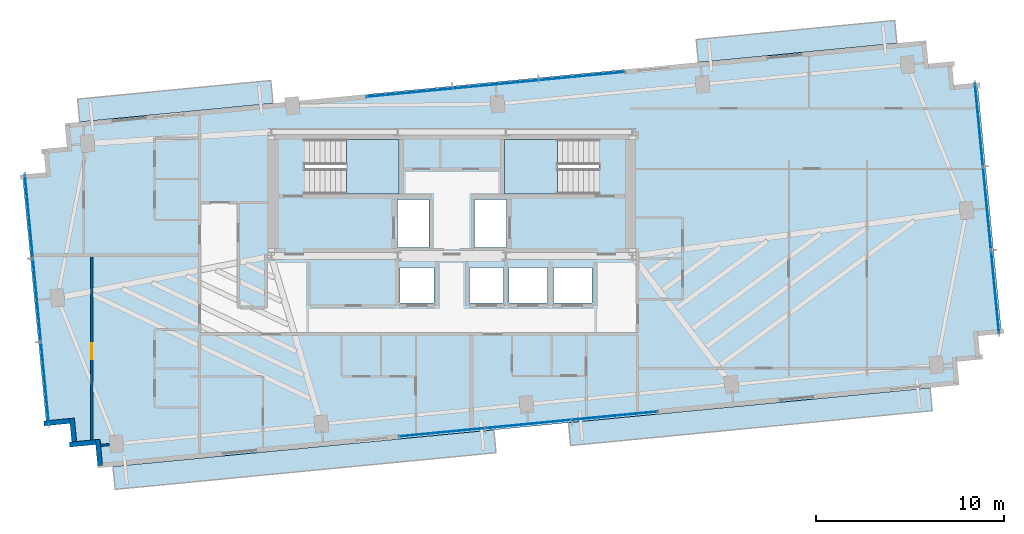
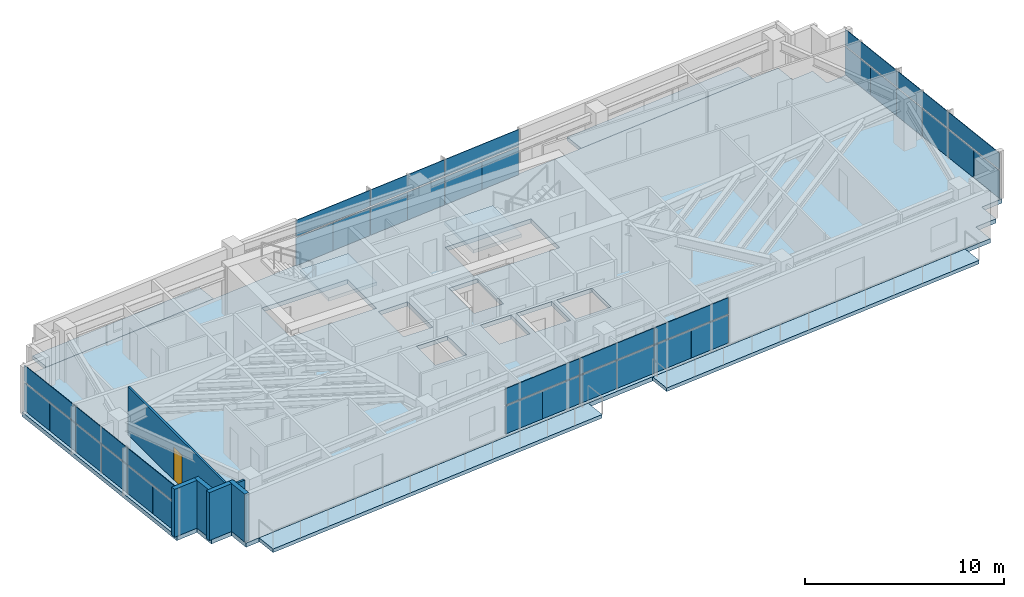
# One storey, part 12 of 18: 36 plates, 7 slabs, 6 walls, 1 door, 1 opening, 6 elements without a shape of their own.
"""IFC4 building model written with IfcOpenShell, lengths in metres."""

from ifc_helpers import new_model, si_unit, direction, frame, frame_2d, origin, origin_2d, place, context, subcontext, project, spatial, polyline, rectangle, outline, extrude, source, transform, mapped, material, layer, layer_set, type_object, type_shapes, element, fill, aggregate, save


model = new_model("IFC4")

# Units and contexts
model_context = context("Model", 3, precision=1e-05, world=origin(), true_north=direction((0.0, 1.0)))
body_context = subcontext(model_context, "Body", "Model", "MODEL_VIEW")
ifc_project = project(units=[si_unit("LENGTHUNIT", "METRE"), si_unit("AREAUNIT", "SQUARE_METRE"), si_unit("VOLUMEUNIT", "CUBIC_METRE"), si_unit("PLANEANGLEUNIT", "RADIAN"), si_unit("MASSUNIT", "GRAM", prefix="KILO")], contexts=[model_context])

# Site, building, storey
site_placement = place(None, origin())
site = spatial("IfcSite", under=ifc_project, at=site_placement, CompositionType="ELEMENT")
building_placement = place(site_placement, origin())
building = spatial("IfcBuilding", under=site, at=building_placement, Name="Astriad Promenade Condominiums", CompositionType="ELEMENT")
storey_placement = place(building_placement, frame((0.0, 0.0, 182.60009765625)))
storey = spatial("IfcBuildingStorey", under=building, at=storey_placement, Name="L52", CompositionType="ELEMENT", Elevation=182.60009765625)

# Slab
ifc_material_1 = material(Name="Concrete C50/60", Category="concrete")
ifc_layer_1 = layer(ifc_material_1, 0.260009765625)
ifc_layer_set_1 = layer_set([ifc_layer_1], Name="Concrete C50/60")
slab_type_1 = type_object("IfcSlabType", Name="CONCRETE TOWER FLOOR SLAB 260", PredefinedType="FLOOR", material=ifc_layer_set_1)
slab_1_placement = place(storey_placement, frame((0.0, 0.0, -0.260009765625)))
element("IfcSlab", 1, at=slab_1_placement, inside=storey, type_object=slab_type_1, Name="Structural Floor Slab (L52)", PredefinedType="FLOOR", context=body_context, shape_type="SweptSolid", body=[
    extrude(outline(polyline([(17.187744140625, 6.137939453125), (62.975830078125, 10.546875), (62.856201171875, 11.791015625), (64.100341796875, 11.910888671875), (63.98046875, 13.155029296875), (65.224853515625, 13.27490234375), (63.9404296875, 26.61328125), (62.6962890625, 26.493408203125), (62.576416015625, 27.73779296875), (61.33203125, 27.617919921875), (61.21240234375, 28.862060546875), (15.424072265625, 24.453125), (15.5439453125, 23.208984375), (14.2998046875, 23.089111328125), (14.41943359375, 21.844970703125), (13.17529296875, 21.72509765625), (14.459716796875, 8.38671875), (15.703857421875, 8.506591796875), (15.823486328125, 7.26220703125), (17.06787109375, 7.382080078125), (17.187744140625, 6.137939453125)]), holes=[polyline([(28.175048828125, 20.699951171875), (33.175048828125, 20.699951171875), (33.175048828125, 23.60009765625), (28.175048828125, 23.60009765625), (28.175048828125, 20.699951171875)]), polyline([(38.824951171875, 20.699951171875), (43.824951171875, 20.699951171875), (43.824951171875, 23.60009765625), (38.824951171875, 23.60009765625), (38.824951171875, 20.699951171875)]), polyline([(33.10009765625, 17.85009765625), (34.800048828125, 17.85009765625), (34.800048828125, 20.39990234375), (33.10009765625, 20.39990234375), (33.10009765625, 17.85009765625)]), polyline([(37.199951171875, 17.85009765625), (38.89990234375, 17.85009765625), (38.89990234375, 20.39990234375), (37.199951171875, 20.39990234375), (37.199951171875, 17.85009765625)]), polyline([(33.25, 14.89990234375), (35.050048828125, 14.89990234375), (35.050048828125, 16.800048828125), (33.25, 16.800048828125), (33.25, 14.89990234375)]), polyline([(36.949951171875, 14.89990234375), (38.75, 14.89990234375), (38.75, 16.800048828125), (36.949951171875, 16.800048828125), (36.949951171875, 14.89990234375)]), polyline([(39.050048828125, 14.89990234375), (41.10009765625, 14.89990234375), (41.10009765625, 16.800048828125), (39.050048828125, 16.800048828125), (39.050048828125, 14.89990234375)]), polyline([(41.39990234375, 14.89990234375), (43.449951171875, 14.89990234375), (43.449951171875, 16.800048828125), (41.39990234375, 16.800048828125), (41.39990234375, 14.89990234375)])]), origin(), (0.0, 0.0, 1.0), 0.260009765625),
])

# Stair, slab
stair_type = type_object("IfcStairType", Name="STR-CORE-1350", PredefinedType="HALF_TURN_STAIR", material=ifc_material_1)
stair_1_placement = place(storey_placement, origin())
stair_1 = element("IfcStair", 2, at=stair_1_placement, inside=storey, type_object=stair_type, Name="L52 Enclosed Core Exit Stair ST-1", PredefinedType="HALF_TURN_STAIR")
ifc_layer_2 = layer(ifc_material_1, 0.219970703125)
ifc_layer_set_2 = layer_set([ifc_layer_2], Name="Concrete C50/60")
slab_type_2 = type_object("IfcSlabType", Name="SLB-LANDING-220", PredefinedType="LANDING", material=ifc_layer_set_2)
slab_2_placement = place(storey_placement, frame((0.0, 0.0, 1.39990234375)))
slab_2 = element("IfcSlab", 3, at=slab_2_placement, type_object=slab_type_2, Name="ST-1 landing 1", PredefinedType="LANDING", context=body_context, shape_type="SweptSolid", body=[
    extrude(outline(polyline([(30.389892578125, 20.699951171875), (33.199951171875, 20.699951171875), (33.199951171875, 23.60009765625), (30.389892578125, 23.60009765625), (30.389892578125, 20.699951171875)])), origin(), (0.0, 0.0, 1.0), 0.199951171875),
])
aggregate(stair_1, [slab_2])

stair_2_placement = place(storey_placement, origin())
stair_2 = element("IfcStair", 4, at=stair_2_placement, inside=storey, type_object=stair_type, Name="L52 Enclosed Core Exit Stair ST-2", PredefinedType="HALF_TURN_STAIR")
slab_3_placement = place(storey_placement, frame((0.0, 0.0, 1.39990234375)))
slab_3 = element("IfcSlab", 5, at=slab_3_placement, type_object=slab_type_2, Name="ST-2 landing 1", PredefinedType="LANDING", context=body_context, shape_type="SweptSolid", body=[
    extrude(outline(polyline([(41.610107421875, 23.60009765625), (38.800048828125, 23.60009765625), (38.800048828125, 20.699951171875), (41.610107421875, 20.699951171875), (41.610107421875, 23.60009765625)])), origin(), (0.0, 0.0, 1.0), 0.199951171875),
])
aggregate(stair_2, [slab_3])

# Slabs
ifc_material_2 = material(Name="Precast concrete C50/60", Category="concrete")
ifc_layer_3 = layer(ifc_material_2, 0.219970703125)
ifc_layer_set_3 = layer_set([ifc_layer_3], Name="Precast concrete C50/60")
slab_type_3 = type_object("IfcSlabType", Name="WHITE PRECAST CONCRETE WAVE BALCONY SLAB 220", PredefinedType="FLOOR", material=ifc_layer_set_3)
slab_4_placement = place(storey_placement, frame((0.0, 0.0, -0.22021484375)))
element("IfcSlab", 6, at=slab_4_placement, inside=storey, type_object=slab_type_3, Name="White Precast Wave Balcony Slab BAL-L52-SW", PredefinedType="FLOOR", context=body_context, shape_type="SweptSolid", body=[
    extrude(outline(polyline([(38.351318359375, 6.9501953125), (18.10400390625, 5.00048828125), (17.9873046875, 6.212890625), (38.234619140625, 8.16259765625), (38.351318359375, 6.9501953125)])), origin(), (0.0, 0.0, 1.0), 0.22021484375),
])
slab_5_placement = place(storey_placement, frame((0.0, 0.0, -0.22021484375)))
element("IfcSlab", 7, at=slab_5_placement, inside=storey, type_object=slab_type_3, Name="White Precast Wave Balcony Slab BAL-L52-SE", PredefinedType="FLOOR", context=body_context, shape_type="SweptSolid", body=[
    extrude(outline(polyline([(61.5400390625, 9.182861328125), (42.31689453125, 7.331787109375), (42.2001953125, 8.544189453125), (61.42333984375, 10.395263671875), (61.5400390625, 9.182861328125)])), origin(), (0.0, 0.0, 1.0), 0.22021484375),
])
slab_6_placement = place(storey_placement, frame((0.0, 0.0, -0.22021484375)))
element("IfcSlab", 8, at=slab_6_placement, inside=storey, type_object=slab_type_3, Name="White Precast Wave Balcony Slab BAL-L52-NW", PredefinedType="FLOOR", context=body_context, shape_type="SweptSolid", body=[
    extrude(outline(polyline([(16.1064453125, 25.744384765625), (26.3759765625, 26.7333984375), (26.49267578125, 25.52099609375), (16.22314453125, 24.5322265625), (16.1064453125, 25.744384765625)])), origin(), (0.0, 0.0, 1.0), 0.22021484375),
])
slab_7_placement = place(storey_placement, frame((0.0, 0.0, -0.22021484375)))
element("IfcSlab", 9, at=slab_7_placement, inside=storey, type_object=slab_type_3, Name="White Precast Wave Balcony Slab BAL-L52-NE", PredefinedType="FLOOR", context=body_context, shape_type="SweptSolid", body=[
    extrude(outline(polyline([(48.991455078125, 28.910888671875), (59.54248046875, 29.927001953125), (59.6591796875, 28.714599609375), (49.108154296875, 27.698486328125), (48.991455078125, 28.910888671875)])), origin(), (0.0, 0.0, 1.0), 0.22021484375),
])

# Curtain wall, plates
ifc_material_3 = material(Name="Anodised aluminium Black Dark Glass Unitised", Category="aluminium")
curtain_wall_type = type_object("IfcCurtainWallType", Name="CW-B34-DARK", PredefinedType="USERDEFINED", material=ifc_material_3)
curtain_wall_1_placement = place(storey_placement, origin())
curtain_wall_1 = element("IfcCurtainWall", 10, at=curtain_wall_1_placement, inside=storey, type_object=curtain_wall_type, Name="CW-L52-W", ObjectType="UNITISED_CURTAIN_WALL", PredefinedType="USERDEFINED")
ifc_material_4 = material(Name="Dark Tinted Low-E Laminated Glass", Category="glass")
ifc_layer_4 = layer(ifc_material_4, 0.035888671875)
ifc_layer_set_4 = layer_set([ifc_layer_4], Name="Dark Tinted Low-E Laminated Glass")
plate_type = type_object("IfcPlateType", Name="PNL-DARK-GLASS-36", PredefinedType="CURTAIN_PANEL", material=ifc_layer_set_4)
shared_shape_1 = source(origin(), body_context, "Body", "SweptSolid", [
    extrude(rectangle(XDim=2.22119140625, YDim=0.035888671875, at=origin_2d()), origin(), (0.0, 0.0, 1.0), 1.702880859375),
])
plate_1_placement = place(storey_placement, frame((14.48193359375, 9.5107421875, 0.080078125), z_axis=(0.0, 0.0, 1.0), x_axis=(-0.09584575252, 0.995396198367, 0.0)))
plate_1 = element("IfcPlate", 11, at=plate_1_placement, type_object=plate_type, Name="CW-L52-W-PNL-00-VL", PredefinedType="CURTAIN_PANEL", context=body_context, shape_type="MappedRepresentation", body=[
    mapped(shared_shape_1, transform((0.0, 0.0, 0.0), scale=1.0)),
])
plate_2_placement = place(storey_placement, frame((14.267822265625, 11.73388671875, 0.080078125), z_axis=(0.0, 0.0, 1.0), x_axis=(-0.09584575252, 0.995396198367, 0.0)))
plate_2 = element("IfcPlate", 12, at=plate_2_placement, type_object=plate_type, Name="CW-L52-W-PNL-00-VR", PredefinedType="CURTAIN_PANEL", context=body_context, shape_type="MappedRepresentation", body=[
    mapped(shared_shape_1, transform((0.0, 0.0, 0.0), scale=1.0)),
])
plate_3_placement = place(storey_placement, frame((14.053955078125, 13.956787109375, 0.080078125), z_axis=(0.0, 0.0, 1.0), x_axis=(-0.09584575252, 0.995396198367, 0.0)))
plate_3 = element("IfcPlate", 13, at=plate_3_placement, type_object=plate_type, Name="CW-L52-W-PNL-01-VL", PredefinedType="CURTAIN_PANEL", context=body_context, shape_type="MappedRepresentation", body=[
    mapped(shared_shape_1, transform((0.0, 0.0, 0.0), scale=1.0)),
])
plate_4_placement = place(storey_placement, frame((13.839599609375, 16.179931640625, 0.080078125), z_axis=(0.0, 0.0, 1.0), x_axis=(-0.09584575252, 0.995396198367, 0.0)))
plate_4 = element("IfcPlate", 14, at=plate_4_placement, type_object=plate_type, Name="CW-L52-W-PNL-01-VR", PredefinedType="CURTAIN_PANEL", context=body_context, shape_type="MappedRepresentation", body=[
    mapped(shared_shape_1, transform((0.0, 0.0, 0.0), scale=1.0)),
])
plate_5_placement = place(storey_placement, frame((13.625732421875, 18.403076171875, 0.080078125), z_axis=(0.0, 0.0, 1.0), x_axis=(-0.09584575252, 0.995396198367, 0.0)))
plate_5 = element("IfcPlate", 15, at=plate_5_placement, type_object=plate_type, Name="CW-L52-W-PNL-02-VL", PredefinedType="CURTAIN_PANEL", context=body_context, shape_type="MappedRepresentation", body=[
    mapped(shared_shape_1, transform((0.0, 0.0, 0.0), scale=1.0)),
])
plate_6_placement = place(storey_placement, frame((13.41162109375, 20.626220703125, 0.080078125), z_axis=(0.0, 0.0, 1.0), x_axis=(-0.09584575252, 0.995396198367, 0.0)))
plate_6 = element("IfcPlate", 16, at=plate_6_placement, type_object=plate_type, Name="CW-L52-W-PNL-02-VR", PredefinedType="CURTAIN_PANEL", context=body_context, shape_type="MappedRepresentation", body=[
    mapped(shared_shape_1, transform((0.0, 0.0, 0.0), scale=1.0)),
])

curtain_wall_2_placement = place(storey_placement, origin())
curtain_wall_2 = element("IfcCurtainWall", 17, at=curtain_wall_2_placement, inside=storey, type_object=curtain_wall_type, Name="CW-L52-E", ObjectType="UNITISED_CURTAIN_WALL", PredefinedType="USERDEFINED")
plate_7_placement = place(storey_placement, frame((63.91796875, 25.4892578125, 0.080078125), z_axis=(0.0, 0.0, 1.0), x_axis=(0.09584575252, -0.995396198367, 0.0)))
plate_7 = element("IfcPlate", 18, at=plate_7_placement, type_object=plate_type, Name="CW-L52-E-PNL-00-VL", PredefinedType="CURTAIN_PANEL", context=body_context, shape_type="MappedRepresentation", body=[
    mapped(shared_shape_1, transform((0.0, 0.0, 0.0), scale=1.0)),
])
plate_8_placement = place(storey_placement, frame((64.132080078125, 23.26611328125, 0.080078125), z_axis=(0.0, 0.0, 1.0), x_axis=(0.09584575252, -0.995396198367, 0.0)))
plate_8 = element("IfcPlate", 19, at=plate_8_placement, type_object=plate_type, Name="CW-L52-E-PNL-00-VR", PredefinedType="CURTAIN_PANEL", context=body_context, shape_type="MappedRepresentation", body=[
    mapped(shared_shape_1, transform((0.0, 0.0, 0.0), scale=1.0)),
])
plate_9_placement = place(storey_placement, frame((64.34619140625, 21.043212890625, 0.080078125), z_axis=(0.0, 0.0, 1.0), x_axis=(0.09584575252, -0.995396198367, 0.0)))
plate_9 = element("IfcPlate", 20, at=plate_9_placement, type_object=plate_type, Name="CW-L52-E-PNL-01-VL", PredefinedType="CURTAIN_PANEL", context=body_context, shape_type="MappedRepresentation", body=[
    mapped(shared_shape_1, transform((0.0, 0.0, 0.0), scale=1.0)),
])
plate_10_placement = place(storey_placement, frame((64.560302734375, 18.820068359375, 0.080078125), z_axis=(0.0, 0.0, 1.0), x_axis=(0.09584575252, -0.995396198367, 0.0)))
plate_10 = element("IfcPlate", 21, at=plate_10_placement, type_object=plate_type, Name="CW-L52-E-PNL-01-VR", PredefinedType="CURTAIN_PANEL", context=body_context, shape_type="MappedRepresentation", body=[
    mapped(shared_shape_1, transform((0.0, 0.0, 0.0), scale=1.0)),
])
plate_11_placement = place(storey_placement, frame((64.7744140625, 16.596923828125, 0.080078125), z_axis=(0.0, 0.0, 1.0), x_axis=(0.09584575252, -0.995396198367, 0.0)))
plate_11 = element("IfcPlate", 22, at=plate_11_placement, type_object=plate_type, Name="CW-L52-E-PNL-02-VL", PredefinedType="CURTAIN_PANEL", context=body_context, shape_type="MappedRepresentation", body=[
    mapped(shared_shape_1, transform((0.0, 0.0, 0.0), scale=1.0)),
])
plate_12_placement = place(storey_placement, frame((64.98828125, 14.373779296875, 0.080078125), z_axis=(0.0, 0.0, 1.0), x_axis=(0.09584575252, -0.995396198367, 0.0)))
plate_12 = element("IfcPlate", 23, at=plate_12_placement, type_object=plate_type, Name="CW-L52-E-PNL-02-VR", PredefinedType="CURTAIN_PANEL", context=body_context, shape_type="MappedRepresentation", body=[
    mapped(shared_shape_1, transform((0.0, 0.0, 0.0), scale=1.0)),
])

# Plate
shared_shape_2 = source(origin(), body_context, "Body", "SweptSolid", [
    extrude(rectangle(XDim=4.45458984375, YDim=0.035888671875, at=origin_2d()), origin(), (0.0, 0.0, 1.0), 0.997314453125),
])
plate_13_placement = place(storey_placement, frame((14.375, 10.622314453125, 1.86279296875), z_axis=(0.0, 0.0, 1.0), x_axis=(-0.09584575252, 0.995396198367, 0.0)))
plate_13 = element("IfcPlate", 24, at=plate_13_placement, type_object=plate_type, Name="CW-L52-W-PNL-00-S", PredefinedType="CURTAIN_PANEL", context=body_context, shape_type="MappedRepresentation", body=[
    mapped(shared_shape_2, transform((0.0, 0.0, 0.0), scale=1.0)),
])

plate_14_placement = place(storey_placement, frame((13.94677734375, 15.068359375, 1.86279296875), z_axis=(0.0, 0.0, 1.0), x_axis=(-0.09584575252, 0.995396198367, 0.0)))
plate_14 = element("IfcPlate", 25, at=plate_14_placement, type_object=plate_type, Name="CW-L52-W-PNL-01-S", PredefinedType="CURTAIN_PANEL", context=body_context, shape_type="MappedRepresentation", body=[
    mapped(shared_shape_2, transform((0.0, 0.0, 0.0), scale=1.0)),
])

plate_15_placement = place(storey_placement, frame((13.518798828125, 19.514404296875, 1.86279296875), z_axis=(0.0, 0.0, 1.0), x_axis=(-0.09584575252, 0.995396198367, 0.0)))
plate_15 = element("IfcPlate", 26, at=plate_15_placement, type_object=plate_type, Name="CW-L52-W-PNL-02-S", PredefinedType="CURTAIN_PANEL", context=body_context, shape_type="MappedRepresentation", body=[
    mapped(shared_shape_2, transform((0.0, 0.0, 0.0), scale=1.0)),
])

aggregate(curtain_wall_1, [plate_1, plate_2, plate_13, plate_3, plate_4, plate_14, plate_5, plate_6, plate_15])

plate_16_placement = place(storey_placement, frame((64.02490234375, 24.377685546875, 1.86279296875), z_axis=(0.0, 0.0, 1.0), x_axis=(0.09584575252, -0.995396198367, 0.0)))
plate_16 = element("IfcPlate", 27, at=plate_16_placement, type_object=plate_type, Name="CW-L52-E-PNL-00-S", PredefinedType="CURTAIN_PANEL", context=body_context, shape_type="MappedRepresentation", body=[
    mapped(shared_shape_2, transform((0.0, 0.0, 0.0), scale=1.0)),
])

plate_17_placement = place(storey_placement, frame((64.453125, 19.931640625, 1.86279296875), z_axis=(0.0, 0.0, 1.0), x_axis=(0.09584575252, -0.995396198367, 0.0)))
plate_17 = element("IfcPlate", 28, at=plate_17_placement, type_object=plate_type, Name="CW-L52-E-PNL-01-S", PredefinedType="CURTAIN_PANEL", context=body_context, shape_type="MappedRepresentation", body=[
    mapped(shared_shape_2, transform((0.0, 0.0, 0.0), scale=1.0)),
])

plate_18_placement = place(storey_placement, frame((64.88134765625, 15.485595703125, 1.86279296875), z_axis=(0.0, 0.0, 1.0), x_axis=(0.09584575252, -0.995396198367, 0.0)))
plate_18 = element("IfcPlate", 29, at=plate_18_placement, type_object=plate_type, Name="CW-L52-E-PNL-02-S", PredefinedType="CURTAIN_PANEL", context=body_context, shape_type="MappedRepresentation", body=[
    mapped(shared_shape_2, transform((0.0, 0.0, 0.0), scale=1.0)),
])

aggregate(curtain_wall_2, [plate_7, plate_8, plate_16, plate_9, plate_10, plate_17, plate_11, plate_12, plate_18])

# Curtain wall, plates
curtain_wall_3_placement = place(storey_placement, origin())
curtain_wall_3 = element("IfcCurtainWall", 30, at=curtain_wall_3_placement, inside=storey, type_object=curtain_wall_type, Name="CW-L52-N", ObjectType="UNITISED_CURTAIN_WALL", PredefinedType="USERDEFINED")
shared_shape_3 = source(origin(), body_context, "Body", "SweptSolid", [
    extrude(rectangle(XDim=2.2880859375, YDim=0.035888671875, at=origin_2d()), origin(), (0.0, 0.0, 1.0), 1.702880859375),
])
plate_19_placement = place(storey_placement, frame((32.607177734375, 25.97705078125, 0.080078125), z_axis=(0.0, 0.0, 1.0), x_axis=(0.995396198367, 0.09584575252, 0.0)))
plate_19 = element("IfcPlate", 31, at=plate_19_placement, type_object=plate_type, Name="CW-L52-N-PNL-00-VL", PredefinedType="CURTAIN_PANEL", context=body_context, shape_type="MappedRepresentation", body=[
    mapped(shared_shape_3, transform((0.0, 0.0, 0.0), scale=1.0)),
])
plate_20_placement = place(storey_placement, frame((34.896484375, 26.197509765625, 0.080078125), z_axis=(0.0, 0.0, 1.0), x_axis=(0.995396198367, 0.09584575252, 0.0)))
plate_20 = element("IfcPlate", 32, at=plate_20_placement, type_object=plate_type, Name="CW-L52-N-PNL-00-VR", PredefinedType="CURTAIN_PANEL", context=body_context, shape_type="MappedRepresentation", body=[
    mapped(shared_shape_3, transform((0.0, 0.0, 0.0), scale=1.0)),
])
plate_21_placement = place(storey_placement, frame((37.18603515625, 26.41796875, 0.080078125), z_axis=(0.0, 0.0, 1.0), x_axis=(0.995396198367, 0.09584575252, 0.0)))
plate_21 = element("IfcPlate", 33, at=plate_21_placement, type_object=plate_type, Name="CW-L52-N-PNL-01-VL", PredefinedType="CURTAIN_PANEL", context=body_context, shape_type="MappedRepresentation", body=[
    mapped(shared_shape_3, transform((0.0, 0.0, 0.0), scale=1.0)),
])
plate_22_placement = place(storey_placement, frame((39.475341796875, 26.638427734375, 0.080078125), z_axis=(0.0, 0.0, 1.0), x_axis=(0.995396198367, 0.09584575252, 0.0)))
plate_22 = element("IfcPlate", 34, at=plate_22_placement, type_object=plate_type, Name="CW-L52-N-PNL-01-VR", PredefinedType="CURTAIN_PANEL", context=body_context, shape_type="MappedRepresentation", body=[
    mapped(shared_shape_3, transform((0.0, 0.0, 0.0), scale=1.0)),
])
plate_23_placement = place(storey_placement, frame((41.764892578125, 26.85888671875, 0.080078125), z_axis=(0.0, 0.0, 1.0), x_axis=(0.995396198367, 0.09584575252, 0.0)))
plate_23 = element("IfcPlate", 35, at=plate_23_placement, type_object=plate_type, Name="CW-L52-N-PNL-02-VL", PredefinedType="CURTAIN_PANEL", context=body_context, shape_type="MappedRepresentation", body=[
    mapped(shared_shape_3, transform((0.0, 0.0, 0.0), scale=1.0)),
])
plate_24_placement = place(storey_placement, frame((44.05419921875, 27.079345703125, 0.080078125), z_axis=(0.0, 0.0, 1.0), x_axis=(0.995396198367, 0.09584575252, 0.0)))
plate_24 = element("IfcPlate", 36, at=plate_24_placement, type_object=plate_type, Name="CW-L52-N-PNL-02-VR", PredefinedType="CURTAIN_PANEL", context=body_context, shape_type="MappedRepresentation", body=[
    mapped(shared_shape_3, transform((0.0, 0.0, 0.0), scale=1.0)),
])

curtain_wall_4_placement = place(storey_placement, origin())
curtain_wall_4 = element("IfcCurtainWall", 37, at=curtain_wall_4_placement, inside=storey, type_object=curtain_wall_type, Name="CW-L52-S", ObjectType="UNITISED_CURTAIN_WALL", PredefinedType="USERDEFINED")
plate_25_placement = place(storey_placement, frame((45.792724609375, 9.02294921875, 0.080078125), z_axis=(0.0, 0.0, 1.0), x_axis=(-0.995396198367, -0.09584575252, 0.0)))
plate_25 = element("IfcPlate", 38, at=plate_25_placement, type_object=plate_type, Name="CW-L52-S-PNL-00-VL", PredefinedType="CURTAIN_PANEL", context=body_context, shape_type="MappedRepresentation", body=[
    mapped(shared_shape_3, transform((0.0, 0.0, 0.0), scale=1.0)),
])
plate_26_placement = place(storey_placement, frame((43.50341796875, 8.802490234375, 0.080078125), z_axis=(0.0, 0.0, 1.0), x_axis=(-0.995396198367, -0.09584575252, 0.0)))
plate_26 = element("IfcPlate", 39, at=plate_26_placement, type_object=plate_type, Name="CW-L52-S-PNL-00-VR", PredefinedType="CURTAIN_PANEL", context=body_context, shape_type="MappedRepresentation", body=[
    mapped(shared_shape_3, transform((0.0, 0.0, 0.0), scale=1.0)),
])
plate_27_placement = place(storey_placement, frame((41.214111328125, 8.58203125, 0.080078125), z_axis=(0.0, 0.0, 1.0), x_axis=(-0.995396198367, -0.09584575252, 0.0)))
plate_27 = element("IfcPlate", 40, at=plate_27_placement, type_object=plate_type, Name="CW-L52-S-PNL-01-VL", PredefinedType="CURTAIN_PANEL", context=body_context, shape_type="MappedRepresentation", body=[
    mapped(shared_shape_3, transform((0.0, 0.0, 0.0), scale=1.0)),
])
plate_28_placement = place(storey_placement, frame((38.924560546875, 8.361572265625, 0.080078125), z_axis=(0.0, 0.0, 1.0), x_axis=(-0.995396198367, -0.09584575252, 0.0)))
plate_28 = element("IfcPlate", 41, at=plate_28_placement, type_object=plate_type, Name="CW-L52-S-PNL-01-VR", PredefinedType="CURTAIN_PANEL", context=body_context, shape_type="MappedRepresentation", body=[
    mapped(shared_shape_3, transform((0.0, 0.0, 0.0), scale=1.0)),
])
plate_29_placement = place(storey_placement, frame((36.63525390625, 8.14111328125, 0.080078125), z_axis=(0.0, 0.0, 1.0), x_axis=(-0.995396198367, -0.09584575252, 0.0)))
plate_29 = element("IfcPlate", 42, at=plate_29_placement, type_object=plate_type, Name="CW-L52-S-PNL-02-VL", PredefinedType="CURTAIN_PANEL", context=body_context, shape_type="MappedRepresentation", body=[
    mapped(shared_shape_3, transform((0.0, 0.0, 0.0), scale=1.0)),
])
plate_30_placement = place(storey_placement, frame((34.345703125, 7.920654296875, 0.080078125), z_axis=(0.0, 0.0, 1.0), x_axis=(-0.995396198367, -0.09584575252, 0.0)))
plate_30 = element("IfcPlate", 43, at=plate_30_placement, type_object=plate_type, Name="CW-L52-S-PNL-02-VR", PredefinedType="CURTAIN_PANEL", context=body_context, shape_type="MappedRepresentation", body=[
    mapped(shared_shape_3, transform((0.0, 0.0, 0.0), scale=1.0)),
])

# Plate
shared_shape_4 = source(origin(), body_context, "Body", "SweptSolid", [
    extrude(rectangle(XDim=4.587890625, YDim=0.035888671875, at=origin_2d()), origin(), (0.0, 0.0, 1.0), 0.997314453125),
])
type_shapes(plate_type, [shared_shape_1, shared_shape_2, shared_shape_3, shared_shape_4])
plate_31_placement = place(storey_placement, frame((33.751953125, 26.08740234375, 1.86279296875), z_axis=(0.0, 0.0, 1.0), x_axis=(0.995396198367, 0.09584575252, 0.0)))
plate_31 = element("IfcPlate", 44, at=plate_31_placement, type_object=plate_type, Name="CW-L52-N-PNL-00-S", PredefinedType="CURTAIN_PANEL", context=body_context, shape_type="MappedRepresentation", body=[
    mapped(shared_shape_4, transform((0.0, 0.0, 0.0), scale=1.0)),
])

plate_32_placement = place(storey_placement, frame((38.330810546875, 26.5283203125, 1.86279296875), z_axis=(0.0, 0.0, 1.0), x_axis=(0.995396198367, 0.09584575252, 0.0)))
plate_32 = element("IfcPlate", 45, at=plate_32_placement, type_object=plate_type, Name="CW-L52-N-PNL-01-S", PredefinedType="CURTAIN_PANEL", context=body_context, shape_type="MappedRepresentation", body=[
    mapped(shared_shape_4, transform((0.0, 0.0, 0.0), scale=1.0)),
])

plate_33_placement = place(storey_placement, frame((42.909423828125, 26.968994140625, 1.86279296875), z_axis=(0.0, 0.0, 1.0), x_axis=(0.995396198367, 0.09584575252, 0.0)))
plate_33 = element("IfcPlate", 46, at=plate_33_placement, type_object=plate_type, Name="CW-L52-N-PNL-02-S", PredefinedType="CURTAIN_PANEL", context=body_context, shape_type="MappedRepresentation", body=[
    mapped(shared_shape_4, transform((0.0, 0.0, 0.0), scale=1.0)),
])

aggregate(curtain_wall_3, [plate_19, plate_20, plate_31, plate_21, plate_22, plate_32, plate_23, plate_24, plate_33])

plate_34_placement = place(storey_placement, frame((44.648193359375, 8.91259765625, 1.86279296875), z_axis=(0.0, 0.0, 1.0), x_axis=(-0.995396198367, -0.09584575252, 0.0)))
plate_34 = element("IfcPlate", 47, at=plate_34_placement, type_object=plate_type, Name="CW-L52-S-PNL-00-S", PredefinedType="CURTAIN_PANEL", context=body_context, shape_type="MappedRepresentation", body=[
    mapped(shared_shape_4, transform((0.0, 0.0, 0.0), scale=1.0)),
])

plate_35_placement = place(storey_placement, frame((40.0693359375, 8.4716796875, 1.86279296875), z_axis=(0.0, 0.0, 1.0), x_axis=(-0.995396198367, -0.09584575252, 0.0)))
plate_35 = element("IfcPlate", 48, at=plate_35_placement, type_object=plate_type, Name="CW-L52-S-PNL-01-S", PredefinedType="CURTAIN_PANEL", context=body_context, shape_type="MappedRepresentation", body=[
    mapped(shared_shape_4, transform((0.0, 0.0, 0.0), scale=1.0)),
])

plate_36_placement = place(storey_placement, frame((35.490478515625, 8.031005859375, 1.86279296875), z_axis=(0.0, 0.0, 1.0), x_axis=(-0.995396198367, -0.09584575252, 0.0)))
plate_36 = element("IfcPlate", 49, at=plate_36_placement, type_object=plate_type, Name="CW-L52-S-PNL-02-S", PredefinedType="CURTAIN_PANEL", context=body_context, shape_type="MappedRepresentation", body=[
    mapped(shared_shape_4, transform((0.0, 0.0, 0.0), scale=1.0)),
])

aggregate(curtain_wall_4, [plate_25, plate_26, plate_34, plate_27, plate_28, plate_35, plate_29, plate_30, plate_36])

# Walls
ifc_layer_5 = layer(ifc_material_2, 0.260009765625)
ifc_layer_set_5 = layer_set([ifc_layer_5], Name="Precast concrete C50/60")
wall_type_1 = type_object("IfcWallType", Name="WALL-EXT-TWR-260", PredefinedType="STANDARD", material=ifc_layer_set_5)
wall_1_placement = place(storey_placement, frame((17.0703125, 7.512939453125, 0.0), z_axis=(0.0, 0.0, 1.0), x_axis=(-0.995391056452, -0.09589913835, 0.0)))
element("IfcWall", 50, at=wall_1_placement, inside=storey, type_object=wall_type_1, Name="W-SER-L52-00", PredefinedType="STANDARD", context=body_context, shape_type="SweptSolid", body=[
    extrude(rectangle(XDim=1.39501953125, YDim=0.260009765625, at=frame_2d((0.697509765625, 0.0))), origin(), (0.0, 0.0, 1.0), 2.93994140625),
])
wall_2_placement = place(storey_placement, frame((15.94189453125, 7.389404296875, 0.0), z_axis=(0.0, 0.0, 1.0), x_axis=(-0.095742423056, 0.99540614245, 0.0)))
element("IfcWall", 51, at=wall_2_placement, inside=storey, type_object=wall_type_1, Name="W-SER-L52-01", PredefinedType="STANDARD", context=body_context, shape_type="SweptSolid", body=[
    extrude(rectangle(XDim=1.394775390625, YDim=0.260009765625, at=frame_2d((0.697265625, 0.0))), origin(), (0.0, 0.0, 1.0), 2.93994140625),
])
wall_3_placement = place(storey_placement, frame((15.706298828125, 8.637451171875, 0.0), z_axis=(0.0, 0.0, 1.0), x_axis=(-0.995391056452, -0.09589913835, 0.0)))
element("IfcWall", 52, at=wall_3_placement, inside=storey, type_object=wall_type_1, Name="W-SER-L52-02", PredefinedType="STANDARD", context=body_context, shape_type="SweptSolid", body=[
    extrude(rectangle(XDim=1.39501953125, YDim=0.260009765625, at=frame_2d((0.697509765625, 0.0))), origin(), (0.0, 0.0, 1.0), 2.93994140625),
])
wall_4_placement = place(storey_placement, frame((17.30615234375, 6.264892578125, 0.0), z_axis=(0.0, 0.0, 1.0), x_axis=(-0.095915846097, 0.995389446633, 0.0)))
element("IfcWall", 53, at=wall_4_placement, inside=storey, type_object=wall_type_1, Name="W-SER-L52-19", PredefinedType="STANDARD", context=body_context, shape_type="SweptSolid", body=[
    extrude(rectangle(XDim=1.394775390625, YDim=0.260009765625, at=frame_2d((0.697265625, 0.0))), origin(), (0.0, 0.0, 1.0), 2.93994140625),
])

# Wall, opening, door
ifc_material_5 = material(Name="Acoustic Metal-Stud Gypsum Partition")
ifc_layer_6 = layer(ifc_material_5, 0.1201171875)
ifc_layer_set_6 = layer_set([ifc_layer_6], Name="Acoustic Metal-Stud Gypsum Partition")
wall_type_2 = type_object("IfcWallType", Name="WALL-PART-120", PredefinedType="PARTITIONING", material=ifc_layer_set_6)
wall_5_placement = place(storey_placement, frame((16.85693359375, 7.625, 0.0), z_axis=(0.0, 0.0, 1.0), x_axis=(0.0, 1.0, 0.0)))
wall_5 = element("IfcWall", 54, at=wall_5_placement, inside=storey, type_object=wall_type_2, Name="PT-L52-W1-B1", PredefinedType="PARTITIONING", context=body_context, shape_type="SweptSolid", body=[
    extrude(rectangle(XDim=9.722900390625, YDim=0.1201171875, at=frame_2d((4.861328125, 0.0))), origin(), (0.0, 0.0, 1.0), 2.93994140625),
])
opening_placement = place(wall_5_placement, frame((4.2890625, 0.0, 0.0)))
opening = element("IfcOpeningElement", 55, at=opening_placement, cuts=wall_5, Name="Opening D-INT-085", PredefinedType="OPENING", context=body_context, shape_type="SweptSolid", body=[
    extrude(rectangle(XDim=0.85009765625, YDim=2.050048828125, at=frame_2d((0.425048828125, 1.02490234375))), frame((0.0, 0.070068359375, 0.0), z_axis=(0.0, -1.0, 0.0), x_axis=(1.0, 0.0, 0.0)), (0.0, 0.0, 1.0), 0.14013671875),
])
ifc_material_6 = material(Name="Painted Solid-Core Timber Room Door", Category="wood")
door_type = type_object("IfcDoorType", Name="D-INT-085", OperationType="NOTDEFINED", PredefinedType="DOOR", material=ifc_material_6)
shared_shape_5 = source(origin(), body_context, "Body", "SweptSolid", [
    extrude(rectangle(XDim=0.85009765625, YDim=2.050048828125, at=frame_2d((0.425048828125, 1.02490234375))), frame((0.0, 0.02490234375, 0.0), z_axis=(0.0, -1.0, 0.0), x_axis=(1.0, 0.0, 0.0)), (0.0, 0.0, 1.0), 0.050048828125),
])
type_shapes(door_type, [shared_shape_5])
door_placement = place(opening_placement, origin())
door = element("IfcDoor", 56, at=door_placement, inside=storey, type_object=door_type, Name="D-BD1-L52-W1", OperationType="SINGLE_SWING_RIGHT", OverallHeight=2.050048828125, OverallWidth=0.85009765625, PredefinedType="DOOR", context=body_context, shape_type="MappedRepresentation", body=[
    mapped(shared_shape_5, transform((0.0, 0.0, 0.0), scale=1.0)),
])
fill(opening, door)

# Wall
wall_6_placement = place(storey_placement, frame((17.791259765625, 7.381591796875, 0.0), z_axis=(0.0, 0.0, 1.0), x_axis=(-0.995384576284, -0.09596637586, 0.0)))
element("IfcWall", 57, at=wall_6_placement, inside=storey, type_object=wall_type_2, Name="PT-PIL-L52-PC01-8", PredefinedType="PARTITIONING", context=body_context, shape_type="SweptSolid", body=[
    extrude(rectangle(XDim=0.4580078125, YDim=0.1201171875, at=frame_2d((0.22900390625, 0.0))), origin(), (0.0, 0.0, 1.0), 2.93994140625),
])

save(model, "model.ifc")
